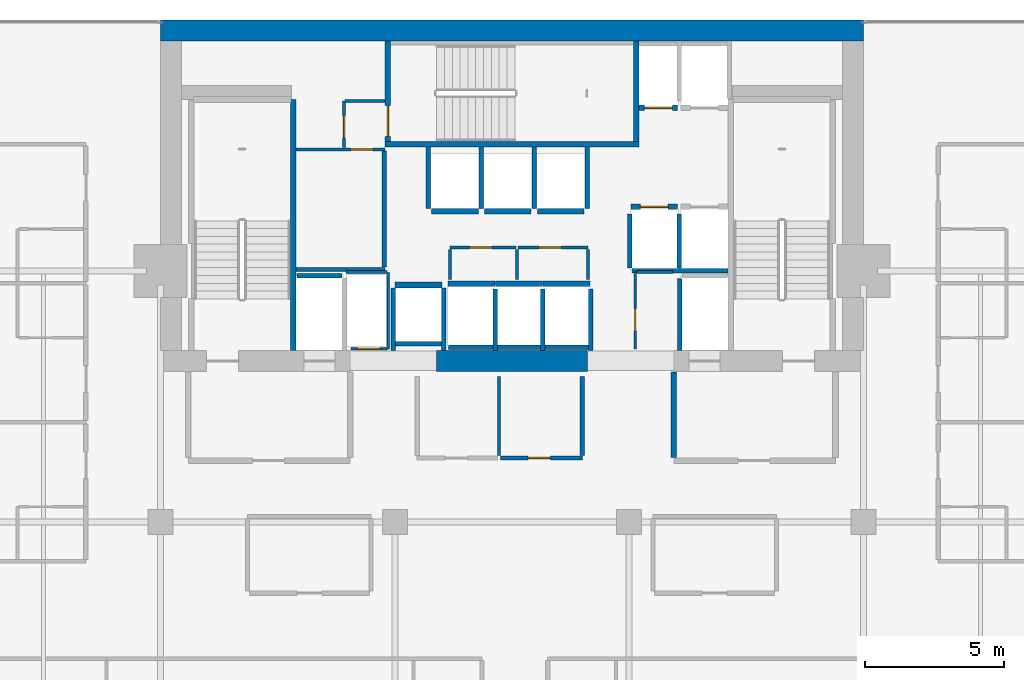
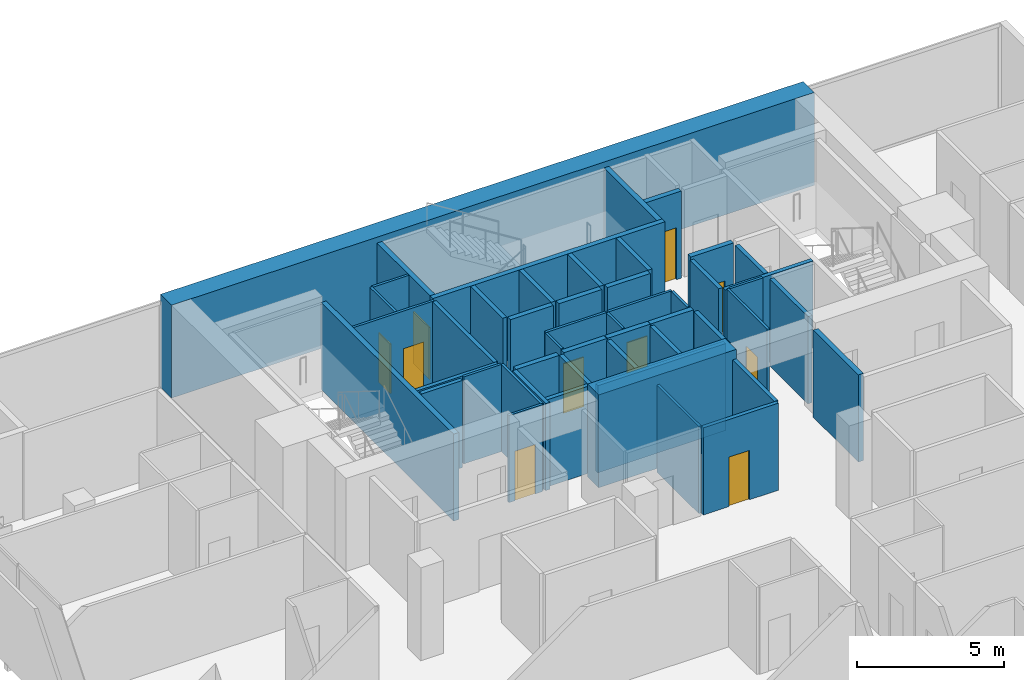
# One storey, part 30 of 34: 50 walls, 10 doors, 10 openings.
"""IFC4 building model written with IfcOpenShell, lengths in metres."""

from ifc_helpers import new_model, si_unit, direction, frame, frame_2d, origin, place, context, subcontext, project, spatial, rectangle, extrude, material, layer, layer_set, type_object, element, fill, save


model = new_model("IFC4")

# Units and contexts
model_context = context("Model", 3, precision=1e-05, world=origin(), true_north=direction((0.0, 1.0)))
body_context = subcontext(model_context, "Body", "Model", "MODEL_VIEW")
ifc_project = project(units=[si_unit("LENGTHUNIT", "METRE"), si_unit("AREAUNIT", "SQUARE_METRE"), si_unit("VOLUMEUNIT", "CUBIC_METRE"), si_unit("PLANEANGLEUNIT", "RADIAN"), si_unit("MASSUNIT", "GRAM", prefix="KILO")], contexts=[model_context])

# Site, building, storey
site_placement = place(None, origin())
site = spatial("IfcSite", under=ifc_project, at=site_placement, CompositionType="ELEMENT")
building_placement = place(site_placement, origin())
building = spatial("IfcBuilding", under=site, at=building_placement, Name="Maruvema Waterfront Hotel and Observation Tower", CompositionType="ELEMENT")
storey_placement = place(building_placement, frame((0.0, 0.0, 215.949951171875)))
storey = spatial("IfcBuildingStorey", under=building, at=storey_placement, Name="L53", CompositionType="ELEMENT", Elevation=215.949951171875)

# Walls
ifc_material_1 = material(Name="Twin-stud acoustic gypsum drywall", Category="gypsum")
ifc_layer_1 = layer(ifc_material_1, 0.14990234375, Name="Acoustic Corridor and Suite Demising Wall 150 mm")
ifc_layer_set_1 = layer_set([ifc_layer_1], Name="Twin-stud acoustic gypsum drywall")
wall_type_1 = type_object("IfcWallType", Name="Acoustic Corridor and Suite Demising Wall 150 mm", PredefinedType="PARTITIONING", material=ifc_layer_set_1)
wall_1_placement = place(storey_placement, frame((30.06005859375, 45.06005859375, 0.0), z_axis=(0.0, 0.0, 1.0), x_axis=(1.0, 0.0, 0.0)))
element("IfcWall", 1, at=wall_1_placement, inside=storey, type_object=wall_type_1, Name="L53 Freed B1 South Wall 017", PredefinedType="PARTITIONING", context=body_context, shape_type="SweptSolid", body=[
    extrude(rectangle(XDim=3.179931640625, YDim=0.14990234375, at=frame_2d((1.58984375, 0.0))), origin(), (0.0, 0.0, 1.0), 3.610107421875),
])
wall_2_placement = place(storey_placement, frame((33.219970703125, 45.139892578125, 0.0), z_axis=(0.0, 0.0, 1.0), x_axis=(0.0, 1.0, 0.0)))
element("IfcWall", 2, at=wall_2_placement, inside=storey, type_object=wall_type_1, Name="L53 Freed B1 East Wall 018", PredefinedType="PARTITIONING", context=body_context, shape_type="SweptSolid", body=[
    extrude(rectangle(XDim=4.16015625, YDim=0.14990234375, at=frame_2d((2.080078125, 0.0))), origin(), (0.0, 0.0, 1.0), 3.610107421875),
])

# Wall, opening, door
wall_3_placement = place(storey_placement, frame((37.3798828125, 38.300048828125, 0.0), z_axis=(0.0, 0.0, 1.0), x_axis=(1.0, 0.0, 0.0)))
wall_3 = element("IfcWall", 3, at=wall_3_placement, inside=storey, type_object=wall_type_1, Name="L53 Core Apron K2B South 023", PredefinedType="PARTITIONING", context=body_context, shape_type="SweptSolid", body=[
    extrude(rectangle(XDim=2.940185546875, YDim=0.14990234375, at=frame_2d((1.47021484375, 0.0))), origin(), (0.0, 0.0, 1.0), 3.610107421875),
])
opening_1_placement = place(wall_3_placement, frame((1.0, 0.0, 0.0)))
opening_1 = element("IfcOpeningElement", 4, at=opening_1_placement, cuts=wall_3, Name="Opening DR-080", PredefinedType="OPENING", context=body_context, shape_type="SweptSolid", body=[
    extrude(rectangle(XDim=0.800048828125, YDim=2.050048828125, at=frame_2d((0.39990234375, 1.02490234375))), frame((0.0, 0.0849609375, 0.0), z_axis=(0.0, -1.0, 0.0), x_axis=(1.0, 0.0, 0.0)), (0.0, 0.0, 1.0), 0.169921875),
])
ifc_material_2 = material(Name="Powder-coated steel access leaf", Category="steel")
door_type_1 = type_object("IfcDoorType", Name="Riser and Service Cupboard Door 800x2050 mm", OperationType="NOTDEFINED", PredefinedType="DOOR", material=ifc_material_2)
door_1_placement = place(opening_1_placement, frame((0.800048828125, 0.0, 0.0), z_axis=(0.0, 0.0, 1.0), x_axis=(-1.0, 0.0, 0.0)))
door_1 = element("IfcDoor", 5, at=door_1_placement, inside=storey, type_object=door_type_1, Name="L53 Core Valet Closet Door", OperationType="SINGLE_SWING_RIGHT", OverallHeight=2.050048828125, OverallWidth=0.800048828125, PredefinedType="DOOR", context=body_context, shape_type="SweptSolid", body=[
    extrude(rectangle(XDim=0.800048828125, YDim=2.050048828125, at=frame_2d((0.39990234375, 1.02490234375))), frame((0.0, 0.02490234375, 0.0), z_axis=(0.0, -1.0, 0.0), x_axis=(1.0, 0.0, 0.0)), (0.0, 0.0, 1.0), 0.050048828125),
])
fill(opening_1, door_1)

# Walls
wall_4_placement = place(storey_placement, frame((40.320068359375, 38.3798828125, 0.0), z_axis=(0.0, 0.0, 1.0), x_axis=(0.0, 1.0, 0.0)))
element("IfcWall", 6, at=wall_4_placement, inside=storey, type_object=wall_type_1, Name="L53 Core Apron K2 East 026", PredefinedType="PARTITIONING", context=body_context, shape_type="SweptSolid", body=[
    extrude(rectangle(XDim=2.840087890625, YDim=0.14990234375, at=frame_2d((1.419921875, 0.0))), origin(), (0.0, 0.0, 1.0), 3.610107421875),
])
ifc_material_3 = material(Name="Precast concrete C45/55", Category="concrete")
ifc_layer_2 = layer(ifc_material_3, 0.199951171875, Name="Core Shaft and Stairwell Enclosure Wall 200 mm")
ifc_layer_set_2 = layer_set([ifc_layer_2], Name="Precast concrete C45/55")
wall_type_2 = type_object("IfcWallType", Name="Core Shaft and Stairwell Enclosure Wall 200 mm", PredefinedType="SOLIDWALL", material=ifc_layer_set_2)
wall_5_placement = place(storey_placement, frame((29.949951171875, 42.14990234375, 0.0), z_axis=(0.0, 0.0, 1.0), x_axis=(0.0, 1.0, 0.0)))
element("IfcWall", 7, at=wall_5_placement, inside=storey, type_object=wall_type_2, Name="L53 Stairwell ST-01 East Shaft Wall", PredefinedType="SOLIDWALL", context=body_context, shape_type="SweptSolid", body=[
    extrude(rectangle(XDim=9.0, YDim=0.199951171875, at=frame_2d((4.5, 0.0))), origin(), (0.0, 0.0, 1.0), 3.610107421875),
])
wall_6_placement = place(storey_placement, frame((33.25, 49.550048828125, 0.0), z_axis=(0.0, 0.0, 1.0), x_axis=(1.0, 0.0, 0.0)))
element("IfcWall", 8, at=wall_6_placement, inside=storey, type_object=wall_type_2, Name="L53 Stairwell ST-02 Shaft Wall", PredefinedType="SOLIDWALL", context=body_context, shape_type="SweptSolid", body=[
    extrude(rectangle(XDim=9.10009765625, YDim=0.199951171875, at=frame_2d((4.550048828125, 0.0))), origin(), (0.0, 0.0, 1.0), 3.610107421875),
])
wall_7_placement = place(storey_placement, frame((42.25, 49.64990234375, 0.0), z_axis=(0.0, 0.0, 1.0), x_axis=(0.0, 1.0, 0.0)))
element("IfcWall", 9, at=wall_7_placement, inside=storey, type_object=wall_type_2, Name="L53 Stairwell ST-02 Shaft Wall", PredefinedType="SOLIDWALL", context=body_context, shape_type="SweptSolid", body=[
    extrude(rectangle(XDim=3.60009765625, YDim=0.199951171875, at=frame_2d((1.800048828125, 0.0))), origin(), (0.0, 0.0, 1.0), 3.610107421875),
])

# Wall, opening, door
wall_8_placement = place(storey_placement, frame((33.35009765625, 49.64990234375, 0.0), z_axis=(0.0, 0.0, 1.0), x_axis=(0.0, 1.0, 0.0)))
wall_8 = element("IfcWall", 10, at=wall_8_placement, inside=storey, type_object=wall_type_2, Name="L53 Stairwell ST-02 Shaft Wall", PredefinedType="SOLIDWALL", context=body_context, shape_type="SweptSolid", body=[
    extrude(rectangle(XDim=3.60009765625, YDim=0.199951171875, at=frame_2d((1.800048828125, 0.0))), origin(), (0.0, 0.0, 1.0), 3.610107421875),
])
opening_2_placement = place(wall_8_placement, frame((0.179931640625, 0.0, 0.0)))
opening_2 = element("IfcOpeningElement", 11, at=opening_2_placement, cuts=wall_8, Name="Opening SD-02", PredefinedType="OPENING", context=body_context, shape_type="SweptSolid", body=[
    extrude(rectangle(XDim=1.10009765625, YDim=2.14990234375, at=frame_2d((0.550048828125, 1.074951171875))), frame((0.0, 0.10986328125, 0.0), z_axis=(0.0, -1.0, 0.0), x_axis=(1.0, 0.0, 0.0)), (0.0, 0.0, 1.0), 0.219970703125),
])
ifc_material_4 = material(Name="Fire-rated galvanised steel leaf", Category="steel")
door_type_2 = type_object("IfcDoorType", Name="Central Exit Stair Fire Door 1100x2150 mm", OperationType="NOTDEFINED", PredefinedType="DOOR", material=ifc_material_4)
door_2_placement = place(opening_2_placement, frame((1.10009765625, 0.0, 0.0), z_axis=(0.0, 0.0, 1.0), x_axis=(-1.0, 0.0, 0.0)))
door_2 = element("IfcDoor", 12, at=door_2_placement, inside=storey, type_object=door_type_2, Name="L53 Exit Stair ST-02 Fire Door", OperationType="SINGLE_SWING_LEFT", OverallHeight=2.14990234375, OverallWidth=1.10009765625, PredefinedType="DOOR", context=body_context, shape_type="SweptSolid", body=[
    extrude(rectangle(XDim=1.10009765625, YDim=2.14990234375, at=frame_2d((0.550048828125, 1.074951171875))), frame((0.0, 0.02490234375, 0.0), z_axis=(0.0, -1.0, 0.0), x_axis=(1.0, 0.0, 0.0)), (0.0, 0.0, 1.0), 0.050048828125),
])
fill(opening_2, door_2)

wall_9_placement = place(storey_placement, frame((42.06005859375, 47.300048828125, 0.0), z_axis=(0.0, 0.0, 1.0), x_axis=(1.0, 0.0, 0.0)))
wall_9 = element("IfcWall", 13, at=wall_9_placement, inside=storey, type_object=wall_type_2, Name="L53 Lift LF-05 Hoistway Front Wall", PredefinedType="SOLIDWALL", context=body_context, shape_type="SweptSolid", body=[
    extrude(rectangle(XDim=1.679931640625, YDim=0.199951171875, at=frame_2d((0.83984375, 0.0))), origin(), (0.0, 0.0, 1.0), 3.610107421875),
])
opening_3_placement = place(wall_9_placement, frame((0.340087890625, 0.0, 0.0)))
opening_3 = element("IfcOpeningElement", 14, at=opening_3_placement, cuts=wall_9, Name="Opening LD-01", PredefinedType="OPENING", context=body_context, shape_type="SweptSolid", body=[
    extrude(rectangle(XDim=1.0, YDim=2.14990234375, at=frame_2d((0.5, 1.074951171875))), frame((0.0, 0.10986328125, 0.0), z_axis=(0.0, -1.0, 0.0), x_axis=(1.0, 0.0, 0.0)), (0.0, 0.0, 1.0), 0.219970703125),
])
ifc_material_5 = material(Name="Brushed stainless steel Grade 316", Category="steel")
door_type_3 = type_object("IfcDoorType", Name="Passenger Lift Sliding Landing Door 1000x2150 mm", OperationType="SLIDING_TO_LEFT", PredefinedType="DOOR", material=ifc_material_5)
door_3_placement = place(opening_3_placement, origin())
door_3 = element("IfcDoor", 15, at=door_3_placement, inside=storey, type_object=door_type_3, Name="L53 Lift LF-05 Sliding Landing Door", OperationType="SLIDING_TO_LEFT", OverallHeight=2.14990234375, OverallWidth=1.0, PredefinedType="DOOR", context=body_context, shape_type="SweptSolid", body=[
    extrude(rectangle(XDim=1.0, YDim=2.14990234375, at=frame_2d((0.5, 1.074951171875))), frame((0.0, 0.02490234375, 0.0), z_axis=(0.0, -1.0, 0.0), x_axis=(1.0, 0.0, 0.0)), (0.0, 0.0, 1.0), 0.050048828125),
])
fill(opening_3, door_3)

wall_10_placement = place(storey_placement, frame((42.360107421875, 50.85009765625, 0.0), z_axis=(0.0, 0.0, 1.0), x_axis=(1.0, 0.0, 0.0)))
wall_10 = element("IfcWall", 16, at=wall_10_placement, inside=storey, type_object=wall_type_2, Name="L53 Lift LF-07 Hoistway Front Wall", PredefinedType="SOLIDWALL", context=body_context, shape_type="SweptSolid", body=[
    extrude(rectangle(XDim=1.3798828125, YDim=0.199951171875, at=frame_2d((0.68994140625, 0.0))), origin(), (0.0, 0.0, 1.0), 3.610107421875),
])
opening_4_placement = place(wall_10_placement, frame((0.18994140625, 0.0, 0.0)))
opening_4 = element("IfcOpeningElement", 17, at=opening_4_placement, cuts=wall_10, Name="Opening LD-01", PredefinedType="OPENING", context=body_context, shape_type="SweptSolid", body=[
    extrude(rectangle(XDim=1.0, YDim=2.14990234375, at=frame_2d((0.5, 1.074951171875))), frame((0.0, 0.10986328125, 0.0), z_axis=(0.0, -1.0, 0.0), x_axis=(1.0, 0.0, 0.0)), (0.0, 0.0, 1.0), 0.219970703125),
])
door_4_placement = place(opening_4_placement, frame((1.0, 0.0, 0.0), z_axis=(0.0, 0.0, 1.0), x_axis=(-1.0, 0.0, 0.0)))
door_4 = element("IfcDoor", 18, at=door_4_placement, inside=storey, type_object=door_type_3, Name="L53 Lift LF-07 Sliding Landing Door", OperationType="SLIDING_TO_LEFT", OverallHeight=2.14990234375, OverallWidth=1.0, PredefinedType="DOOR", context=body_context, shape_type="SweptSolid", body=[
    extrude(rectangle(XDim=1.0, YDim=2.14990234375, at=frame_2d((0.5, 1.074951171875))), frame((0.0, 0.02490234375, 0.0), z_axis=(0.0, -1.0, 0.0), x_axis=(1.0, 0.0, 0.0)), (0.0, 0.0, 1.0), 0.050048828125),
])
fill(opening_4, door_4)

# Walls
for number, where, z_axis, x_axis, name in (
    (19, (35.510009765625, 44.550048828125, 0.0), (0.0, 0.0, 1.0), (1.0, 0.0, 0.0), "L53 Lift LF-09 Hoistway Front Wall"),
    (20, (37.2099609375, 44.550048828125, 0.0), (0.0, 0.0, 1.0), (1.0, 0.0, 0.0), "L53 Lift LF-10 Hoistway Front Wall"),
):
    element("IfcWall", number, at=place(storey_placement, frame(where, z_axis=z_axis, x_axis=x_axis)), inside=storey, type_object=wall_type_2, Name=name, PredefinedType="SOLIDWALL", context=body_context, shape_type="SweptSolid", body=[
        extrude(rectangle(XDim=1.679931640625, YDim=0.199951171875, at=frame_2d((0.83984375, 0.0))), origin(), (0.0, 0.0, 1.0), 3.610107421875),
    ])
for number, where, z_axis, x_axis, name in (
    (21, (38.909912109375, 44.550048828125, 0.0), (0.0, 0.0, 1.0), (1.0, 0.0, 0.0), "L53 Lift LF-11 Hoistway Front Wall"),
    (22, (34.909912109375, 47.14990234375, 0.0), (0.0, 0.0, 1.0), (1.0, 0.0, 0.0), "L53 Lift LF-12 Hoistway Front Wall"),
):
    element("IfcWall", number, at=place(storey_placement, frame(where, z_axis=z_axis, x_axis=x_axis)), inside=storey, type_object=wall_type_2, Name=name, PredefinedType="SOLIDWALL", context=body_context, shape_type="SweptSolid", body=[
        extrude(rectangle(XDim=1.68017578125, YDim=0.199951171875, at=frame_2d((0.840087890625, 0.0))), origin(), (0.0, 0.0, 1.0), 3.610107421875),
    ])
for number, where, z_axis, x_axis, name in (
    (23, (36.81005859375, 47.14990234375, 0.0), (0.0, 0.0, 1.0), (1.0, 0.0, 0.0), "L53 Lift LF-13 Hoistway Front Wall"),
    (24, (38.7099609375, 47.14990234375, 0.0), (0.0, 0.0, 1.0), (1.0, 0.0, 0.0), "L53 Lift LF-14 Hoistway Front Wall"),
    (25, (33.610107421875, 44.5, 0.0), (0.0, 0.0, 1.0), (1.0, 0.0, 0.0), "L53 Lift LF-15 Hoistway Front Wall"),
):
    element("IfcWall", number, at=place(storey_placement, frame(where, z_axis=z_axis, x_axis=x_axis)), inside=storey, type_object=wall_type_2, Name=name, PredefinedType="SOLIDWALL", context=body_context, shape_type="SweptSolid", body=[
        extrude(rectangle(XDim=1.679931640625, YDim=0.199951171875, at=frame_2d((0.83984375, 0.0))), origin(), (0.0, 0.0, 1.0), 3.610107421875),
    ])
ifc_material_6 = material(Name="Concrete C70/85", Category="concrete")
ifc_layer_3 = layer(ifc_material_6, 0.75, Name="Core Shear Wall 750 mm")
ifc_layer_set_3 = layer_set([ifc_layer_3], Name="Concrete C70/85")
wall_type_3 = type_object("IfcWallType", Name="Core Shear Wall 750 mm", PredefinedType="SHEAR", material=ifc_layer_set_3)
wall_11_placement = place(storey_placement, frame((25.199951171875, 53.625, 0.0), z_axis=(0.0, 0.0, 1.0), x_axis=(1.0, 0.0, 0.0)))
element("IfcWall", 26, at=wall_11_placement, inside=storey, type_object=wall_type_3, Name="L53 North Core Shear Wall", PredefinedType="SHEAR", context=body_context, shape_type="SweptSolid", body=[
    extrude(rectangle(XDim=25.199951171875, YDim=0.75, at=frame_2d((12.60009765625, 0.0))), origin(), (0.0, 0.0, 1.0), 3.85009765625),
])
wall_12_placement = place(storey_placement, frame((35.10009765625, 41.77490234375, 0.0), z_axis=(0.0, 0.0, 1.0), x_axis=(1.0, 0.0, 0.0)))
element("IfcWall", 27, at=wall_12_placement, inside=storey, type_object=wall_type_3, Name="L53 South-Central Core Shear Wall", PredefinedType="SHEAR", context=body_context, shape_type="SweptSolid", body=[
    extrude(rectangle(XDim=5.39990234375, YDim=0.75, at=frame_2d((2.699951171875, 0.0))), origin(), (0.0, 0.0, 1.0), 3.85009765625),
])

# Wall, opening, door
ifc_material_7 = material(Name="Moisture-resistant cement-board drywall", Category="gypsum")
ifc_layer_4 = layer(ifc_material_7, 0.10009765625, Name="En-Suite Moisture-Resistant Partition 100 mm")
ifc_layer_set_4 = layer_set([ifc_layer_4], Name="Moisture-resistant cement-board drywall")
wall_type_4 = type_object("IfcWallType", Name="En-Suite Moisture-Resistant Partition 100 mm", PredefinedType="PARTITIONING", material=ifc_layer_set_4)
wall_13_placement = place(storey_placement, frame((32.02001953125, 42.2099609375, 0.0), z_axis=(0.0, 0.0, 1.0), x_axis=(1.0, 0.0, 0.0)))
wall_13 = element("IfcWall", 28, at=wall_13_placement, inside=storey, type_object=wall_type_4, Name="L53 Telecom Riser South Wall 007", PredefinedType="PARTITIONING", context=body_context, shape_type="SweptSolid", body=[
    extrude(rectangle(XDim=1.320068359375, YDim=0.10009765625, at=frame_2d((0.66015625, 0.0))), origin(), (0.0, 0.0, 1.0), 3.610107421875),
])
opening_5_placement = place(wall_13_placement, frame((0.239990234375, 0.0, 0.0)))
opening_5 = element("IfcOpeningElement", 29, at=opening_5_placement, cuts=wall_13, Name="Opening DR-080", PredefinedType="OPENING", context=body_context, shape_type="SweptSolid", body=[
    extrude(rectangle(XDim=0.800048828125, YDim=2.050048828125, at=frame_2d((0.39990234375, 1.02490234375))), frame((0.0, 0.06005859375, 0.0), z_axis=(0.0, -1.0, 0.0), x_axis=(1.0, 0.0, 0.0)), (0.0, 0.0, 1.0), 0.1201171875),
])
door_5_placement = place(opening_5_placement, frame((0.800048828125, 0.0, 0.0), z_axis=(0.0, 0.0, 1.0), x_axis=(-1.0, 0.0, 0.0)))
door_5 = element("IfcDoor", 30, at=door_5_placement, inside=storey, type_object=door_type_1, Name="L53 Telecom Riser Door", OperationType="SINGLE_SWING_LEFT", OverallHeight=2.050048828125, OverallWidth=0.800048828125, PredefinedType="DOOR", context=body_context, shape_type="SweptSolid", body=[
    extrude(rectangle(XDim=0.800048828125, YDim=2.050048828125, at=frame_2d((0.39990234375, 1.02490234375))), frame((0.0, 0.02490234375, 0.0), z_axis=(0.0, -1.0, 0.0), x_axis=(1.0, 0.0, 0.0)), (0.0, 0.0, 1.0), 0.050048828125),
])
fill(opening_5, door_5)

# Walls
wall_14_placement = place(storey_placement, frame((31.840087890625, 44.9599609375, 0.0), z_axis=(0.0, 0.0, 1.0), x_axis=(1.0, 0.0, 0.0)))
element("IfcWall", 31, at=wall_14_placement, inside=storey, type_object=wall_type_4, Name="L53 Telecom Riser North Wall 008", PredefinedType="PARTITIONING", context=body_context, shape_type="SweptSolid", body=[
    extrude(rectangle(XDim=1.47998046875, YDim=0.10009765625, at=frame_2d((0.739990234375, 0.0))), origin(), (0.0, 0.0, 1.0), 3.610107421875),
])
wall_15_placement = place(storey_placement, frame((33.360107421875, 42.2099609375, 0.0), z_axis=(0.0, 0.0, 1.0), x_axis=(0.0, 1.0, 0.0)))
element("IfcWall", 32, at=wall_15_placement, inside=storey, type_object=wall_type_4, Name="L53 Telecom Riser East Wall 009", PredefinedType="PARTITIONING", context=body_context, shape_type="SweptSolid", body=[
    extrude(rectangle(XDim=2.72998046875, YDim=0.10009765625, at=frame_2d((1.364990234375, 0.0))), origin(), (0.0, 0.0, 1.0), 3.610107421875),
])

# Wall, opening, door
wall_16_placement = place(storey_placement, frame((35.580078125, 45.840087890625, 0.0), z_axis=(0.0, 0.0, 1.0), x_axis=(1.0, 0.0, 0.0)))
wall_16 = element("IfcWall", 33, at=wall_16_placement, inside=storey, type_object=wall_type_4, Name="L53 Core Closet K2A North 010", PredefinedType="PARTITIONING", context=body_context, shape_type="SweptSolid", body=[
    extrude(rectangle(XDim=2.35986328125, YDim=0.10009765625, at=frame_2d((1.179931640625, 0.0))), origin(), (0.0, 0.0, 1.0), 3.610107421875),
])
opening_6_placement = place(wall_16_placement, frame((0.699951171875, 0.0, 0.0)))
opening_6 = element("IfcOpeningElement", 34, at=opening_6_placement, cuts=wall_16, Name="Opening DR-080", PredefinedType="OPENING", context=body_context, shape_type="SweptSolid", body=[
    extrude(rectangle(XDim=0.800048828125, YDim=2.050048828125, at=frame_2d((0.39990234375, 1.02490234375))), frame((0.0, 0.06005859375, 0.0), z_axis=(0.0, -1.0, 0.0), x_axis=(1.0, 0.0, 0.0)), (0.0, 0.0, 1.0), 0.1201171875),
])
door_6_placement = place(opening_6_placement, origin())
door_6 = element("IfcDoor", 35, at=door_6_placement, inside=storey, type_object=door_type_1, Name="L53 Core IT Closet Door", OperationType="SINGLE_SWING_RIGHT", OverallHeight=2.050048828125, OverallWidth=0.800048828125, PredefinedType="DOOR", context=body_context, shape_type="SweptSolid", body=[
    extrude(rectangle(XDim=0.800048828125, YDim=2.050048828125, at=frame_2d((0.39990234375, 1.02490234375))), frame((0.0, 0.02490234375, 0.0), z_axis=(0.0, -1.0, 0.0), x_axis=(1.0, 0.0, 0.0)), (0.0, 0.0, 1.0), 0.050048828125),
])
fill(opening_6, door_6)

wall_17_placement = place(storey_placement, frame((38.02001953125, 45.840087890625, 0.0), z_axis=(0.0, 0.0, 1.0), x_axis=(1.0, 0.0, 0.0)))
wall_17 = element("IfcWall", 36, at=wall_17_placement, inside=storey, type_object=wall_type_4, Name="L53 Core Closet K2B North 011", PredefinedType="PARTITIONING", context=body_context, shape_type="SweptSolid", body=[
    extrude(rectangle(XDim=2.5, YDim=0.10009765625, at=frame_2d((1.25, 0.0))), origin(), (0.0, 0.0, 1.0), 3.610107421875),
])
opening_7_placement = place(wall_17_placement, frame((0.75, 0.0, 0.0)))
opening_7 = element("IfcOpeningElement", 37, at=opening_7_placement, cuts=wall_17, Name="Opening DR-080", PredefinedType="OPENING", context=body_context, shape_type="SweptSolid", body=[
    extrude(rectangle(XDim=0.800048828125, YDim=2.050048828125, at=frame_2d((0.39990234375, 1.02490234375))), frame((0.0, 0.06005859375, 0.0), z_axis=(0.0, -1.0, 0.0), x_axis=(1.0, 0.0, 0.0)), (0.0, 0.0, 1.0), 0.1201171875),
])
door_7_placement = place(opening_7_placement, origin())
door_7 = element("IfcDoor", 38, at=door_7_placement, inside=storey, type_object=door_type_1, Name="L53 Core Linen Cupboard Door", OperationType="SINGLE_SWING_LEFT", OverallHeight=2.050048828125, OverallWidth=0.800048828125, PredefinedType="DOOR", context=body_context, shape_type="SweptSolid", body=[
    extrude(rectangle(XDim=0.800048828125, YDim=2.050048828125, at=frame_2d((0.39990234375, 1.02490234375))), frame((0.0, 0.02490234375, 0.0), z_axis=(0.0, -1.0, 0.0), x_axis=(1.0, 0.0, 0.0)), (0.0, 0.0, 1.0), 0.050048828125),
])
fill(opening_7, door_7)

# Walls
for number, where, z_axis, x_axis, name in (
    (39, (35.580078125, 44.699951171875, 0.0), (0.0, 0.0, 1.0), (0.0, 1.0, 0.0), "L53 Core Closet K2 West 012"),
    (40, (37.97998046875, 44.699951171875, 0.0), (0.0, 0.0, 1.0), (0.0, 1.0, 0.0), "L53 Core Closet K2 Mid 013"),
    (41, (40.52001953125, 44.699951171875, 0.0), (0.0, 0.0, 1.0), (0.0, 1.0, 0.0), "L53 Core Closet K2 East 014"),
):
    element("IfcWall", number, at=place(storey_placement, frame(where, z_axis=z_axis, x_axis=x_axis)), inside=storey, type_object=wall_type_4, Name=name, PredefinedType="PARTITIONING", context=body_context, shape_type="SweptSolid", body=[
        extrude(rectangle(XDim=1.080078125, YDim=0.10009765625, at=frame_2d((0.5400390625, 0.0))), origin(), (0.0, 0.0, 1.0), 3.610107421875),
    ])

# Wall, opening, door
wall_18_placement = place(storey_placement, frame((42.219970703125, 42.199951171875, 0.0), z_axis=(0.0, 0.0, 1.0), x_axis=(0.0, 1.0, 0.0)))
wall_18 = element("IfcWall", 42, at=wall_18_placement, inside=storey, type_object=wall_type_4, Name="L53 Core Closet K2C West 015", PredefinedType="PARTITIONING", context=body_context, shape_type="SweptSolid", body=[
    extrude(rectangle(XDim=2.760009765625, YDim=0.10009765625, at=frame_2d((1.3798828125, 0.0))), origin(), (0.0, 0.0, 1.0), 3.610107421875),
])
opening_8_placement = place(wall_18_placement, frame((0.64990234375, 0.0, 0.0)))
opening_8 = element("IfcOpeningElement", 43, at=opening_8_placement, cuts=wall_18, Name="Opening DR-080", PredefinedType="OPENING", context=body_context, shape_type="SweptSolid", body=[
    extrude(rectangle(XDim=0.800048828125, YDim=2.050048828125, at=frame_2d((0.39990234375, 1.02490234375))), frame((0.0, 0.06005859375, 0.0), z_axis=(0.0, -1.0, 0.0), x_axis=(1.0, 0.0, 0.0)), (0.0, 0.0, 1.0), 0.1201171875),
])
door_8_placement = place(opening_8_placement, frame((0.800048828125, 0.0, 0.0), z_axis=(0.0, 0.0, 1.0), x_axis=(-1.0, 0.0, 0.0)))
door_8 = element("IfcDoor", 44, at=door_8_placement, inside=storey, type_object=door_type_1, Name="L53 Core Housekeeping Closet Door", OperationType="SINGLE_SWING_RIGHT", OverallHeight=2.050048828125, OverallWidth=0.800048828125, PredefinedType="DOOR", context=body_context, shape_type="SweptSolid", body=[
    extrude(rectangle(XDim=0.800048828125, YDim=2.050048828125, at=frame_2d((0.39990234375, 1.02490234375))), frame((0.0, 0.02490234375, 0.0), z_axis=(0.0, -1.0, 0.0), x_axis=(1.0, 0.0, 0.0)), (0.0, 0.0, 1.0), 0.050048828125),
])
fill(opening_8, door_8)

# Wall
wall_19_placement = place(storey_placement, frame((42.280029296875, 44.9599609375, 0.0), z_axis=(0.0, 0.0, 1.0), x_axis=(1.0, 0.0, 0.0)))
element("IfcWall", 45, at=wall_19_placement, inside=storey, type_object=wall_type_4, Name="L53 Core Closet K2C North 016", PredefinedType="PARTITIONING", context=body_context, shape_type="SweptSolid", body=[
    extrude(rectangle(XDim=1.300048828125, YDim=0.10009765625, at=frame_2d((0.64990234375, 0.0))), origin(), (0.0, 0.0, 1.0), 3.610107421875),
])

# Wall, opening, door
wall_20_placement = place(storey_placement, frame((30.06005859375, 49.360107421875, 0.0), z_axis=(0.0, 0.0, 1.0), x_axis=(1.0, 0.0, 0.0)))
wall_20 = element("IfcWall", 46, at=wall_20_placement, inside=storey, type_object=wall_type_4, Name="L53 Freed B1 Mid Wall 019", PredefinedType="PARTITIONING", context=body_context, shape_type="SweptSolid", body=[
    extrude(rectangle(XDim=3.179931640625, YDim=0.10009765625, at=frame_2d((1.58984375, 0.0))), origin(), (0.0, 0.0, 1.0), 3.610107421875),
])
opening_9_placement = place(wall_20_placement, frame((1.949951171875, 0.0, 0.0)))
opening_9 = element("IfcOpeningElement", 47, at=opening_9_placement, cuts=wall_20, Name="Opening DR-080", PredefinedType="OPENING", context=body_context, shape_type="SweptSolid", body=[
    extrude(rectangle(XDim=0.800048828125, YDim=2.050048828125, at=frame_2d((0.39990234375, 1.02490234375))), frame((0.0, 0.06005859375, 0.0), z_axis=(0.0, -1.0, 0.0), x_axis=(1.0, 0.0, 0.0)), (0.0, 0.0, 1.0), 0.1201171875),
])
door_9_placement = place(opening_9_placement, origin())
door_9 = element("IfcDoor", 48, at=door_9_placement, inside=storey, type_object=door_type_1, Name="L53 Housekeeping and Linen Room Door", OperationType="SINGLE_SWING_LEFT", OverallHeight=2.050048828125, OverallWidth=0.800048828125, PredefinedType="DOOR", context=body_context, shape_type="SweptSolid", body=[
    extrude(rectangle(XDim=0.800048828125, YDim=2.050048828125, at=frame_2d((0.39990234375, 1.02490234375))), frame((0.0, 0.02490234375, 0.0), z_axis=(0.0, -1.0, 0.0), x_axis=(1.0, 0.0, 0.0)), (0.0, 0.0, 1.0), 0.050048828125),
])
fill(opening_9, door_9)

wall_21_placement = place(storey_placement, frame((31.780029296875, 49.419921875, 0.0), z_axis=(0.0, 0.0, 1.0), x_axis=(0.0, 1.0, 0.0)))
wall_21 = element("IfcWall", 49, at=wall_21_placement, inside=storey, type_object=wall_type_4, Name="L53 Freed B1 NW East Wall 020", PredefinedType="PARTITIONING", context=body_context, shape_type="SweptSolid", body=[
    extrude(rectangle(XDim=1.68017578125, YDim=0.10009765625, at=frame_2d((0.840087890625, 0.0))), origin(), (0.0, 0.0, 1.0), 3.610107421875),
])
opening_10_placement = place(wall_21_placement, frame((0.35009765625, 0.0, 0.0)))
opening_10 = element("IfcOpeningElement", 50, at=opening_10_placement, cuts=wall_21, Name="Opening DR-080", PredefinedType="OPENING", context=body_context, shape_type="SweptSolid", body=[
    extrude(rectangle(XDim=0.800048828125, YDim=2.050048828125, at=frame_2d((0.39990234375, 1.02490234375))), frame((0.0, 0.06005859375, 0.0), z_axis=(0.0, -1.0, 0.0), x_axis=(1.0, 0.0, 0.0)), (0.0, 0.0, 1.0), 0.1201171875),
])
door_10_placement = place(opening_10_placement, origin())
door_10 = element("IfcDoor", 51, at=door_10_placement, inside=storey, type_object=door_type_1, Name="L53 Guest Floor Pantry Door", OperationType="SINGLE_SWING_RIGHT", OverallHeight=2.050048828125, OverallWidth=0.800048828125, PredefinedType="DOOR", context=body_context, shape_type="SweptSolid", body=[
    extrude(rectangle(XDim=0.800048828125, YDim=2.050048828125, at=frame_2d((0.39990234375, 1.02490234375))), frame((0.0, 0.02490234375, 0.0), z_axis=(0.0, -1.0, 0.0), x_axis=(1.0, 0.0, 0.0)), (0.0, 0.0, 1.0), 0.050048828125),
])
fill(opening_10, door_10)

# Walls
wall_22_placement = place(storey_placement, frame((31.820068359375, 51.10009765625, 0.0), z_axis=(0.0, 0.0, 1.0), x_axis=(1.0, 0.0, 0.0)))
element("IfcWall", 52, at=wall_22_placement, inside=storey, type_object=wall_type_4, Name="L53 Freed B1 Vestibule North Wall 021", PredefinedType="PARTITIONING", context=body_context, shape_type="SweptSolid", body=[
    extrude(rectangle(XDim=1.419921875, YDim=0.10009765625, at=frame_2d((0.7099609375, 0.0))), origin(), (0.0, 0.0, 1.0), 3.610107421875),
])
wall_23_placement = place(storey_placement, frame((37.330078125, 38.3798828125, 0.0), z_axis=(0.0, 0.0, 1.0), x_axis=(0.0, 1.0, 0.0)))
element("IfcWall", 53, at=wall_23_placement, inside=storey, type_object=wall_type_4, Name="L53 Core Apron K2 Split 025", PredefinedType="PARTITIONING", context=body_context, shape_type="SweptSolid", body=[
    extrude(rectangle(XDim=2.840087890625, YDim=0.10009765625, at=frame_2d((1.419921875, 0.0))), origin(), (0.0, 0.0, 1.0), 3.610107421875),
])
ifc_material_8 = material(Name="Autoclaved cellular concrete blockwork", Category="masonry")
ifc_layer_5 = layer(ifc_material_8, 0.199951171875, Name="Fire Compartment Masonry Wall 200 mm")
ifc_layer_set_5 = layer_set([ifc_layer_5], Name="Autoclaved cellular concrete blockwork")
wall_type_5 = type_object("IfcWallType", Name="Fire Compartment Masonry Wall 200 mm", PredefinedType="PARTITIONING", material=ifc_layer_set_5)
wall_24_placement = place(storey_placement, frame((43.60009765625, 38.31005859375, 0.0), z_axis=(0.0, 0.0, 1.0), x_axis=(0.0, 1.0, 0.0)))
element("IfcWall", 54, at=wall_24_placement, inside=storey, type_object=wall_type_5, Name="L53 FFL East West Wall 005", PredefinedType="PARTITIONING", context=body_context, shape_type="SweptSolid", body=[
    extrude(rectangle(XDim=3.06982421875, YDim=0.199951171875, at=frame_2d((1.534912109375, 0.0))), origin(), (0.0, 0.0, 1.0), 3.610107421875),
])
ifc_material_9 = material(Name="Precast concrete C45/55", Category="concrete")
ifc_layer_6 = layer(ifc_material_9, 0.159912109375, Name="Lift Hoistway Divider Wall 160 mm")
ifc_layer_set_6 = layer_set([ifc_layer_6], Name="Precast concrete C45/55")
wall_type_6 = type_object("IfcWallType", Name="Lift Hoistway Divider Wall 160 mm", PredefinedType="SOLIDWALL", material=ifc_layer_set_6)
wall_25_placement = place(storey_placement, frame((30.10009765625, 44.830078125, 0.0), z_axis=(0.0, 0.0, 1.0), x_axis=(1.0, 0.0, 0.0)))
element("IfcWall", 55, at=wall_25_placement, inside=storey, type_object=wall_type_6, Name="L53 Lift FL-01 Rear Hoistway Wall", PredefinedType="SOLIDWALL", context=body_context, shape_type="SweptSolid", body=[
    extrude(rectangle(XDim=1.599853515625, YDim=0.159912109375, at=frame_2d((0.7998046875, 0.0))), origin(), (0.0, 0.0, 1.0), 3.610107421875),
])
wall_26_placement = place(storey_placement, frame((43.820068359375, 42.14990234375, 0.0), z_axis=(0.0, 0.0, 1.0), x_axis=(0.0, 1.0, 0.0)))
element("IfcWall", 56, at=wall_26_placement, inside=storey, type_object=wall_type_6, Name="L53 Lift FL-02 Inner Hoistway Wall", PredefinedType="SOLIDWALL", context=body_context, shape_type="SweptSolid", body=[
    extrude(rectangle(XDim=2.590087890625, YDim=0.159912109375, at=frame_2d((1.294921875, 0.0))), origin(), (0.0, 0.0, 1.0), 3.610107421875),
])
for number, where, z_axis, x_axis, name in (
    (57, (42.02001953125, 45.10009765625, 0.0), (0.0, 0.0, 1.0), (0.0, 1.0, 0.0), "L53 Hoistway Divider Wall"),
    (58, (43.800048828125, 45.10009765625, 0.0), (0.0, 0.0, 1.0), (0.0, 1.0, 0.0), "L53 Hoistway Divider Wall"),
):
    element("IfcWall", number, at=place(storey_placement, frame(where, z_axis=z_axis, x_axis=x_axis)), inside=storey, type_object=wall_type_6, Name=name, PredefinedType="SOLIDWALL", context=body_context, shape_type="SweptSolid", body=[
        extrude(rectangle(XDim=1.949951171875, YDim=0.159912109375, at=frame_2d((0.97509765625, 0.0))), origin(), (0.0, 0.0, 1.0), 3.610107421875),
    ])
wall_27_placement = place(storey_placement, frame((42.10009765625, 45.010009765625, 0.0), z_axis=(0.0, 0.0, 1.0), x_axis=(1.0, 0.0, 0.0)))
element("IfcWall", 59, at=wall_27_placement, inside=storey, type_object=wall_type_6, Name="L53 Hoistway Divider Wall", PredefinedType="SOLIDWALL", context=body_context, shape_type="SweptSolid", body=[
    extrude(rectangle(XDim=3.449951171875, YDim=0.159912109375, at=frame_2d((1.72509765625, 0.0))), origin(), (0.0, 0.0, 1.0), 3.610107421875),
])
for number, where, z_axis, x_axis, name in (
    (60, (37.199951171875, 42.14990234375, 0.0), (0.0, 0.0, 1.0), (0.0, 1.0, 0.0), "L53 Hoistway Divider Wall"),
    (61, (38.89990234375, 42.14990234375, 0.0), (0.0, 0.0, 1.0), (0.0, 1.0, 0.0), "L53 Hoistway Divider Wall"),
    (62, (40.6201171875, 42.14990234375, 0.0), (0.0, 0.0, 1.0), (0.0, 1.0, 0.0), "L53 Hoistway Divider Wall"),
):
    element("IfcWall", number, at=place(storey_placement, frame(where, z_axis=z_axis, x_axis=x_axis)), inside=storey, type_object=wall_type_6, Name=name, PredefinedType="SOLIDWALL", context=body_context, shape_type="SweptSolid", body=[
        extrude(rectangle(XDim=2.2001953125, YDim=0.159912109375, at=frame_2d((1.10009765625, 0.0))), origin(), (0.0, 0.0, 1.0), 3.610107421875),
    ])
wall_28_placement = place(storey_placement, frame((35.52001953125, 42.260009765625, 0.0), z_axis=(0.0, 0.0, 1.0), x_axis=(1.0, 0.0, 0.0)))
element("IfcWall", 63, at=wall_28_placement, inside=storey, type_object=wall_type_6, Name="L53 Hoistway Divider Wall", PredefinedType="SOLIDWALL", context=body_context, shape_type="SweptSolid", body=[
    extrude(rectangle(XDim=5.02001953125, YDim=0.159912109375, at=frame_2d((2.510009765625, 0.0))), origin(), (0.0, 0.0, 1.0), 3.610107421875),
])
for number, where, z_axis, x_axis, name in (
    (64, (34.800048828125, 47.25, 0.0), (0.0, 0.0, 1.0), (0.0, 1.0, 0.0), "L53 Hoistway Divider Wall"),
    (65, (36.699951171875, 47.25, 0.0), (0.0, 0.0, 1.0), (0.0, 1.0, 0.0), "L53 Hoistway Divider Wall"),
    (66, (38.60009765625, 47.25, 0.0), (0.0, 0.0, 1.0), (0.0, 1.0, 0.0), "L53 Hoistway Divider Wall"),
    (67, (40.5, 47.25, 0.0), (0.0, 0.0, 1.0), (0.0, 1.0, 0.0), "L53 Hoistway Divider Wall"),
):
    element("IfcWall", number, at=place(storey_placement, frame(where, z_axis=z_axis, x_axis=x_axis)), inside=storey, type_object=wall_type_6, Name=name, PredefinedType="SOLIDWALL", context=body_context, shape_type="SweptSolid", body=[
        extrude(rectangle(XDim=2.18994140625, YDim=0.159912109375, at=frame_2d((1.094970703125, 0.0))), origin(), (0.0, 0.0, 1.0), 3.610107421875),
    ])
for number, where, z_axis, x_axis, name in (
    (68, (33.5400390625, 42.14990234375, 0.0), (0.0, 0.0, 1.0), (0.0, 1.0, 0.0), "L53 Hoistway Divider Wall"),
    (69, (35.360107421875, 42.14990234375, 0.0), (0.0, 0.0, 1.0), (0.0, 1.0, 0.0), "L53 Hoistway Divider Wall"),
):
    element("IfcWall", number, at=place(storey_placement, frame(where, z_axis=z_axis, x_axis=x_axis)), inside=storey, type_object=wall_type_6, Name=name, PredefinedType="SOLIDWALL", context=body_context, shape_type="SweptSolid", body=[
        extrude(rectangle(XDim=2.25, YDim=0.159912109375, at=frame_2d((1.125, 0.0))), origin(), (0.0, 0.0, 1.0), 3.610107421875),
    ])
wall_29_placement = place(storey_placement, frame((33.6201171875, 42.39990234375, 0.0), z_axis=(0.0, 0.0, 1.0), x_axis=(1.0, 0.0, 0.0)))
element("IfcWall", 70, at=wall_29_placement, inside=storey, type_object=wall_type_6, Name="L53 Hoistway Divider Wall", PredefinedType="SOLIDWALL", context=body_context, shape_type="SweptSolid", body=[
    extrude(rectangle(XDim=1.659912109375, YDim=0.159912109375, at=frame_2d((0.830078125, 0.0))), origin(), (0.0, 0.0, 1.0), 3.610107421875),
])

save(model, "model.ifc")
